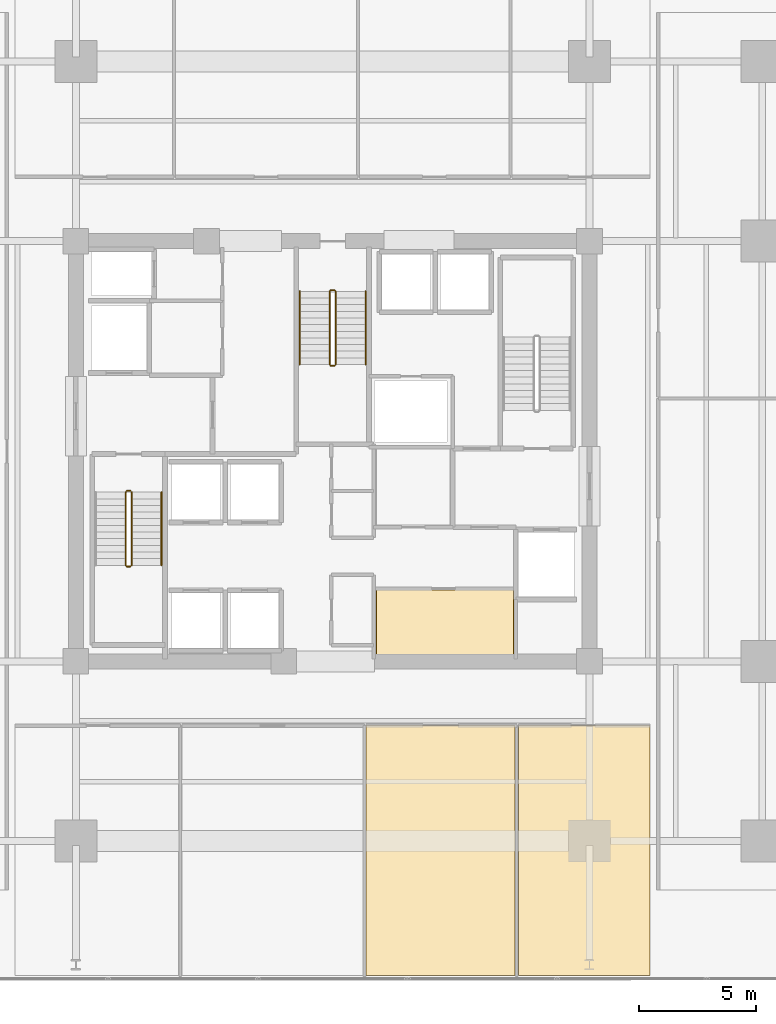
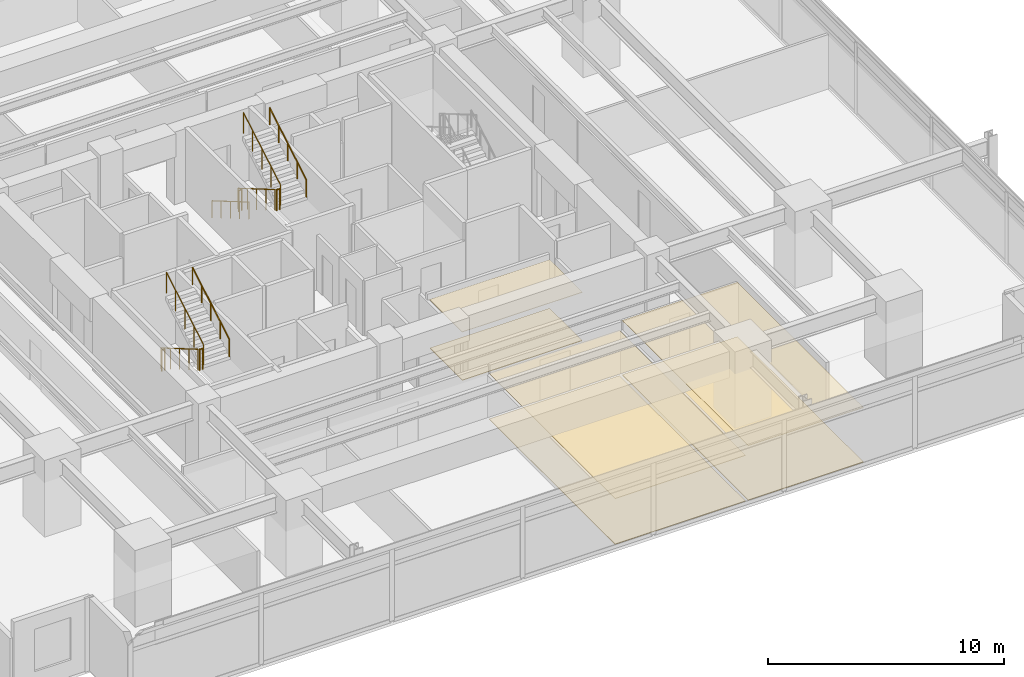
# One storey, part 20 of 22: 11 railings, 6 coverings.
"""IFC4 building model written with IfcOpenShell, lengths in metres."""

from ifc_helpers import new_model, si_unit, direction, frame, origin, origin_2d, place, context, subcontext, project, spatial, polyline, circle, outline, extrude, material, layer, layer_set, type_object, element, save


model = new_model("IFC4")

# Units and contexts
model_context = context("Model", 3, precision=1e-05, world=origin(), true_north=direction((0.0, 1.0)))
body_context = subcontext(model_context, "Body", "Model", "MODEL_VIEW")
ifc_project = project(units=[si_unit("LENGTHUNIT", "METRE"), si_unit("AREAUNIT", "SQUARE_METRE"), si_unit("VOLUMEUNIT", "CUBIC_METRE"), si_unit("PLANEANGLEUNIT", "RADIAN"), si_unit("MASSUNIT", "GRAM", prefix="KILO")], contexts=[model_context])

# Site, building, storey
site_placement = place(None, origin())
site = spatial("IfcSite", under=ifc_project, at=site_placement, CompositionType="ELEMENT")
building_placement = place(site_placement, origin())
building = spatial("IfcBuilding", under=site, at=building_placement, Name="Kovane Verandah Tower", CompositionType="ELEMENT")
storey_placement = place(building_placement, frame((0.0, 0.0, 79.60009765625)))
storey = spatial("IfcBuildingStorey", under=building, at=storey_placement, Name="L18", CompositionType="ELEMENT", Elevation=79.60009765625)

# Coverings
ifc_material_1 = material(Name="Perforated Acoustic Mineral-Fibre Ceiling Tile", Category="gypsum")
ifc_layer_1 = layer(ifc_material_1, 0.02490234375)
ifc_layer_set_1 = layer_set([ifc_layer_1], Name="Perforated Acoustic Mineral-Fibre Ceiling Tile")
covering_type_1 = type_object("IfcCoveringType", Name="CV-CEIL-25", PredefinedType="CEILING", material=ifc_layer_set_1)
covering_1_placement = place(storey_placement, frame((0.0, 0.0, 2.514892578125)))
element("IfcCovering", 1, at=covering_1_placement, inside=storey, type_object=covering_type_1, Name="L18 Records Vault Room Acoustic Ceiling", PredefinedType="CEILING", context=body_context, shape_type="SweptSolid", body=[
    extrude(outline(polyline([(41.864990234375, 18.784912109375), (47.764892578125, 18.784912109375), (47.764892578125, 21.56494140625), (41.864990234375, 21.56494140625), (41.864990234375, 18.784912109375)])), origin(), (0.0, 0.0, 1.0), 0.02490234375),
])
covering_2_placement = place(storey_placement, frame((0.0, 0.0, 2.364990234375)))
element("IfcCovering", 2, at=covering_2_placement, inside=storey, type_object=covering_type_1, Name="L18 Client Boardroom S3 Acoustic Ceiling", PredefinedType="CEILING", context=body_context, shape_type="SweptSolid", body=[
    extrude(outline(polyline([(41.429931640625, 5.0498046875), (47.818115234375, 5.0498046875), (47.818115234375, 15.75), (41.429931640625, 15.75), (41.429931640625, 5.0498046875)])), origin(), (0.0, 0.0, 1.0), 0.02490234375),
])
covering_3_placement = place(storey_placement, frame((0.0, 0.0, 2.824951171875)))
element("IfcCovering", 3, at=covering_3_placement, inside=storey, type_object=covering_type_1, Name="L18 Meeting Room S4 Acoustic Ceiling", PredefinedType="CEILING", context=body_context, shape_type="SweptSolid", body=[
    extrude(outline(polyline([(47.9580078125, 5.0498046875), (53.60009765625, 5.0498046875), (53.60009765625, 15.75), (47.9580078125, 15.75), (47.9580078125, 5.0498046875)])), origin(), (0.0, 0.0, 1.0), 0.02490234375),
])
ifc_material_2 = material(Name="Polished Terrazzo and Raised-Access Carpet Tile Finish", Category="concrete")
ifc_layer_2 = layer(ifc_material_2, 0.030029296875)
ifc_layer_set_2 = layer_set([ifc_layer_2], Name="Polished Terrazzo and Raised-Access Carpet Tile Finish")
covering_type_2 = type_object("IfcCoveringType", Name="CV-FLOR-30", PredefinedType="FLOORING", material=ifc_layer_set_2)
covering_4_placement = place(storey_placement, origin())
element("IfcCovering", 4, at=covering_4_placement, inside=storey, type_object=covering_type_2, Name="L18 Records Vault Room Floor Finish", PredefinedType="FLOORING", context=body_context, shape_type="SweptSolid", body=[
    extrude(outline(polyline([(41.8798828125, 18.800048828125), (47.75, 18.800048828125), (47.75, 21.550048828125), (41.8798828125, 21.550048828125), (41.8798828125, 18.800048828125)])), origin(), (0.0, 0.0, 1.0), 0.02978515625),
])
covering_5_placement = place(storey_placement, origin())
element("IfcCovering", 5, at=covering_5_placement, inside=storey, type_object=covering_type_2, Name="L18 Client Boardroom S3 Floor Finish", PredefinedType="FLOORING", context=body_context, shape_type="SweptSolid", body=[
    extrude(outline(polyline([(41.429931640625, 5.0498046875), (47.818115234375, 5.0498046875), (47.818115234375, 15.75), (41.429931640625, 15.75), (41.429931640625, 5.0498046875)])), origin(), (0.0, 0.0, 1.0), 0.02978515625),
])
covering_6_placement = place(storey_placement, origin())
element("IfcCovering", 6, at=covering_6_placement, inside=storey, type_object=covering_type_2, Name="L18 Meeting Room S4 Floor Finish", PredefinedType="FLOORING", context=body_context, shape_type="SweptSolid", body=[
    extrude(outline(polyline([(47.9580078125, 5.0498046875), (53.60009765625, 5.0498046875), (53.60009765625, 15.75), (47.9580078125, 15.75), (47.9580078125, 5.0498046875)])), origin(), (0.0, 0.0, 1.0), 0.02978515625),
])

# Railings
ifc_material_3 = material(Name="Brushed Stainless Steel Handrail", Category="steel")
railing_type_1 = type_object("IfcRailingType", Name="RL-HAND-920", PredefinedType="HANDRAIL", material=ifc_material_3)
railing_1_placement = place(storey_placement, frame((32.669921875, 22.614990234375, 2.16650390625)))
element("IfcRailing", 7, at=railing_1_placement, inside=storey, type_object=railing_type_1, Name="L18 ST-01 stair handrail 2", PredefinedType="HANDRAIL", context=body_context, shape_type="SweptSolid", body=[
    extrude(circle(Radius=0.02392578125, at=origin_2d()), frame((0.0, 0.0, 0.8759765625), z_axis=(0.0, 0.863210265497, 0.504844567704), x_axis=(-1.0, 0.0, 0.0)), (0.0, 0.0, 1.0), 3.6318359375),
    extrude(circle(Radius=0.02099609375, at=origin_2d()), origin(), (0.0, 0.0, 1.0), 0.851806640625),
    extrude(circle(Radius=0.02099609375, at=origin_2d()), frame((0.0, 0.78369140625, 0.45849609375)), (0.0, 0.0, 1.0), 0.851806640625),
    extrude(circle(Radius=0.02099609375, at=origin_2d()), frame((0.0, 1.5673828125, 0.916748046875)), (0.0, 0.0, 1.0), 0.851806640625),
    extrude(circle(Radius=0.02099609375, at=origin_2d()), frame((0.0, 2.351318359375, 1.375)), (0.0, 0.0, 1.0), 0.851806640625),
    extrude(circle(Radius=0.02099609375, at=origin_2d()), frame((0.0, 3.135009765625, 1.83349609375)), (0.0, 0.0, 1.0), 0.851806640625),
])
railing_2_placement = place(storey_placement, frame((38.590087890625, 34.35009765625, 0.16650390625)))
element("IfcRailing", 8, at=railing_2_placement, inside=storey, type_object=railing_type_1, Name="L18 ST-03 stair handrail 1", PredefinedType="HANDRAIL", context=body_context, shape_type="SweptSolid", body=[
    extrude(circle(Radius=0.02392578125, at=origin_2d()), frame((0.0, 0.0, 0.8759765625), z_axis=(0.0, -0.863210265497, 0.504844567704), x_axis=(1.0, 0.0, 0.0)), (0.0, 0.0, 1.0), 3.6318359375),
    extrude(circle(Radius=0.02099609375, at=origin_2d()), origin(), (0.0, 0.0, 1.0), 0.851806640625),
    extrude(circle(Radius=0.02099609375, at=origin_2d()), frame((0.0, -0.78369140625, 0.45849609375)), (0.0, 0.0, 1.0), 0.851806640625),
    extrude(circle(Radius=0.02099609375, at=origin_2d()), frame((0.0, -1.5673828125, 0.916748046875)), (0.0, 0.0, 1.0), 0.851806640625),
    extrude(circle(Radius=0.02099609375, at=origin_2d()), frame((0.0, -2.351318359375, 1.375)), (0.0, 0.0, 1.0), 0.851806640625),
    extrude(circle(Radius=0.02099609375, at=origin_2d()), frame((0.0, -3.135009765625, 1.83349609375)), (0.0, 0.0, 1.0), 0.851806640625),
])
railing_3_placement = place(storey_placement, frame((41.409912109375, 31.215087890625, 2.16650390625)))
element("IfcRailing", 9, at=railing_3_placement, inside=storey, type_object=railing_type_1, Name="L18 ST-03 stair handrail 2", PredefinedType="HANDRAIL", context=body_context, shape_type="SweptSolid", body=[
    extrude(circle(Radius=0.02392578125, at=origin_2d()), frame((0.0, 0.0, 0.8759765625), z_axis=(0.0, 0.863210265497, 0.504844567704), x_axis=(-1.0, 0.0, 0.0)), (0.0, 0.0, 1.0), 3.6318359375),
    extrude(circle(Radius=0.02099609375, at=origin_2d()), origin(), (0.0, 0.0, 1.0), 0.851806640625),
    extrude(circle(Radius=0.02099609375, at=origin_2d()), frame((0.0, 0.78369140625, 0.45849609375)), (0.0, 0.0, 1.0), 0.851806640625),
    extrude(circle(Radius=0.02099609375, at=origin_2d()), frame((0.0, 1.5673828125, 0.916748046875)), (0.0, 0.0, 1.0), 0.851806640625),
    extrude(circle(Radius=0.02099609375, at=origin_2d()), frame((0.0, 2.351318359375, 1.375)), (0.0, 0.0, 1.0), 0.851806640625),
    extrude(circle(Radius=0.02099609375, at=origin_2d()), frame((0.0, 3.135009765625, 1.83349609375)), (0.0, 0.0, 1.0), 0.851806640625),
])
ifc_material_4 = material(Name="Painted Steel Stairwell Guardrail", Category="steel")
railing_type_2 = type_object("IfcRailingType", Name="RL-STGUARD-1120", PredefinedType="GUARDRAIL", material=ifc_material_4)
railing_4_placement = place(storey_placement, frame((31.1298828125, 25.75, 0.16650390625)))
element("IfcRailing", 10, at=railing_4_placement, inside=storey, type_object=railing_type_2, Name="L18 ST-01 stair guard 1", PredefinedType="GUARDRAIL", context=body_context, shape_type="SweptSolid", body=[
    extrude(circle(Radius=0.02392578125, at=origin_2d()), frame((0.0, 0.0, 1.076171875), z_axis=(0.0, -0.863210265497, 0.504844567704), x_axis=(1.0, 0.0, 0.0)), (0.0, 0.0, 1.0), 3.6318359375),
    extrude(circle(Radius=0.02099609375, at=origin_2d()), origin(), (0.0, 0.0, 1.0), 1.052001953125),
    extrude(circle(Radius=0.02099609375, at=origin_2d()), frame((0.0, -0.78369140625, 0.45849609375)), (0.0, 0.0, 1.0), 1.052001953125),
    extrude(circle(Radius=0.02099609375, at=origin_2d()), frame((0.0, -1.5673828125, 0.916748046875)), (0.0, 0.0, 1.0), 1.052001953125),
    extrude(circle(Radius=0.02099609375, at=origin_2d()), frame((0.0, -2.351318359375, 1.375)), (0.0, 0.0, 1.0), 1.052001953125),
    extrude(circle(Radius=0.02099609375, at=origin_2d()), frame((0.0, -3.135009765625, 1.83349609375)), (0.0, 0.0, 1.0), 1.052001953125),
])
railing_5_placement = place(storey_placement, frame((31.179931640625, 22.56494140625, 2.0)))
element("IfcRailing", 11, at=railing_5_placement, inside=storey, type_object=railing_type_2, Name="L18 ST-01 stair guard 2", PredefinedType="GUARDRAIL", context=body_context, shape_type="SweptSolid", body=[
    extrude(circle(Radius=0.02392578125, at=origin_2d()), frame((0.0, 0.0, 1.076171875), z_axis=(1.0, 0.0, 0.0), x_axis=(0.0, 1.0, 0.0)), (0.0, 0.0, 1.0), 0.16015625),
    extrude(circle(Radius=0.02099609375, at=origin_2d()), origin(), (0.0, 0.0, 1.0), 1.052001953125),
    extrude(circle(Radius=0.02099609375, at=origin_2d()), frame((0.16015625, 0.0, 0.0)), (0.0, 0.0, 1.0), 1.052001953125),
])
railing_6_placement = place(storey_placement, frame((31.389892578125, 22.614990234375, 2.16650390625)))
element("IfcRailing", 12, at=railing_6_placement, inside=storey, type_object=railing_type_2, Name="L18 ST-01 stair guard 3", PredefinedType="GUARDRAIL", context=body_context, shape_type="SweptSolid", body=[
    extrude(circle(Radius=0.02392578125, at=origin_2d()), frame((0.0, 0.0, 1.076171875), z_axis=(0.0, 0.863210265497, 0.504844567704), x_axis=(-1.0, 0.0, 0.0)), (0.0, 0.0, 1.0), 3.6318359375),
    extrude(circle(Radius=0.02099609375, at=origin_2d()), origin(), (0.0, 0.0, 1.0), 1.052001953125),
    extrude(circle(Radius=0.02099609375, at=origin_2d()), frame((0.0, 0.78369140625, 0.45849609375)), (0.0, 0.0, 1.0), 1.052001953125),
    extrude(circle(Radius=0.02099609375, at=origin_2d()), frame((0.0, 1.5673828125, 0.916748046875)), (0.0, 0.0, 1.0), 1.052001953125),
    extrude(circle(Radius=0.02099609375, at=origin_2d()), frame((0.0, 2.351318359375, 1.375)), (0.0, 0.0, 1.0), 1.052001953125),
    extrude(circle(Radius=0.02099609375, at=origin_2d()), frame((0.0, 3.135009765625, 1.83349609375)), (0.0, 0.0, 1.0), 1.052001953125),
])
railing_7_placement = place(storey_placement, frame((31.179931640625, 25.800048828125, 0.0)))
element("IfcRailing", 13, at=railing_7_placement, inside=storey, type_object=railing_type_2, Name="L18 ST-01 stair guard 4", PredefinedType="GUARDRAIL", context=body_context, shape_type="SweptSolid", body=[
    extrude(circle(Radius=0.02392578125, at=origin_2d()), frame((0.0, 0.0, 1.076171875), z_axis=(1.0, 0.0, 0.0), x_axis=(0.0, 1.0, 0.0)), (0.0, 0.0, 1.0), 0.16015625),
    extrude(circle(Radius=0.02099609375, at=origin_2d()), origin(), (0.0, 0.0, 1.0), 1.052001953125),
    extrude(circle(Radius=0.02099609375, at=origin_2d()), frame((0.16015625, 0.0, 0.0)), (0.0, 0.0, 1.0), 1.052001953125),
])
railing_8_placement = place(storey_placement, frame((39.8701171875, 34.35009765625, 0.16650390625)))
element("IfcRailing", 14, at=railing_8_placement, inside=storey, type_object=railing_type_2, Name="L18 ST-03 stair guard 1", PredefinedType="GUARDRAIL", context=body_context, shape_type="SweptSolid", body=[
    extrude(circle(Radius=0.02392578125, at=origin_2d()), frame((0.0, 0.0, 1.076171875), z_axis=(0.0, -0.863210265497, 0.504844567704), x_axis=(1.0, 0.0, 0.0)), (0.0, 0.0, 1.0), 3.6318359375),
    extrude(circle(Radius=0.02099609375, at=origin_2d()), origin(), (0.0, 0.0, 1.0), 1.052001953125),
    extrude(circle(Radius=0.02099609375, at=origin_2d()), frame((0.0, -0.78369140625, 0.45849609375)), (0.0, 0.0, 1.0), 1.052001953125),
    extrude(circle(Radius=0.02099609375, at=origin_2d()), frame((0.0, -1.5673828125, 0.916748046875)), (0.0, 0.0, 1.0), 1.052001953125),
    extrude(circle(Radius=0.02099609375, at=origin_2d()), frame((0.0, -2.351318359375, 1.375)), (0.0, 0.0, 1.0), 1.052001953125),
    extrude(circle(Radius=0.02099609375, at=origin_2d()), frame((0.0, -3.135009765625, 1.83349609375)), (0.0, 0.0, 1.0), 1.052001953125),
])
railing_9_placement = place(storey_placement, frame((39.919921875, 31.1650390625, 2.0)))
element("IfcRailing", 15, at=railing_9_placement, inside=storey, type_object=railing_type_2, Name="L18 ST-03 stair guard 2", PredefinedType="GUARDRAIL", context=body_context, shape_type="SweptSolid", body=[
    extrude(circle(Radius=0.02392578125, at=origin_2d()), frame((0.0, 0.0, 1.076171875), z_axis=(1.0, 0.0, 0.0), x_axis=(0.0, 1.0, 0.0)), (0.0, 0.0, 1.0), 0.16015625),
    extrude(circle(Radius=0.02099609375, at=origin_2d()), origin(), (0.0, 0.0, 1.0), 1.052001953125),
    extrude(circle(Radius=0.02099609375, at=origin_2d()), frame((0.16015625, 0.0, 0.0)), (0.0, 0.0, 1.0), 1.052001953125),
])
railing_10_placement = place(storey_placement, frame((40.1298828125, 31.215087890625, 2.16650390625)))
element("IfcRailing", 16, at=railing_10_placement, inside=storey, type_object=railing_type_2, Name="L18 ST-03 stair guard 3", PredefinedType="GUARDRAIL", context=body_context, shape_type="SweptSolid", body=[
    extrude(circle(Radius=0.02392578125, at=origin_2d()), frame((0.0, 0.0, 1.076171875), z_axis=(0.0, 0.863210265497, 0.504844567704), x_axis=(-1.0, 0.0, 0.0)), (0.0, 0.0, 1.0), 3.6318359375),
    extrude(circle(Radius=0.02099609375, at=origin_2d()), origin(), (0.0, 0.0, 1.0), 1.052001953125),
    extrude(circle(Radius=0.02099609375, at=origin_2d()), frame((0.0, 0.78369140625, 0.45849609375)), (0.0, 0.0, 1.0), 1.052001953125),
    extrude(circle(Radius=0.02099609375, at=origin_2d()), frame((0.0, 1.5673828125, 0.916748046875)), (0.0, 0.0, 1.0), 1.052001953125),
    extrude(circle(Radius=0.02099609375, at=origin_2d()), frame((0.0, 2.351318359375, 1.375)), (0.0, 0.0, 1.0), 1.052001953125),
    extrude(circle(Radius=0.02099609375, at=origin_2d()), frame((0.0, 3.135009765625, 1.83349609375)), (0.0, 0.0, 1.0), 1.052001953125),
])
railing_11_placement = place(storey_placement, frame((39.919921875, 34.39990234375, 0.0)))
element("IfcRailing", 17, at=railing_11_placement, inside=storey, type_object=railing_type_2, Name="L18 ST-03 stair guard 4", PredefinedType="GUARDRAIL", context=body_context, shape_type="SweptSolid", body=[
    extrude(circle(Radius=0.02392578125, at=origin_2d()), frame((0.0, 0.0, 1.076171875), z_axis=(1.0, 0.0, 0.0), x_axis=(0.0, 1.0, 0.0)), (0.0, 0.0, 1.0), 0.16015625),
    extrude(circle(Radius=0.02099609375, at=origin_2d()), origin(), (0.0, 0.0, 1.0), 1.052001953125),
    extrude(circle(Radius=0.02099609375, at=origin_2d()), frame((0.16015625, 0.0, 0.0)), (0.0, 0.0, 1.0), 1.052001953125),
])

save(model, "model.ifc")
